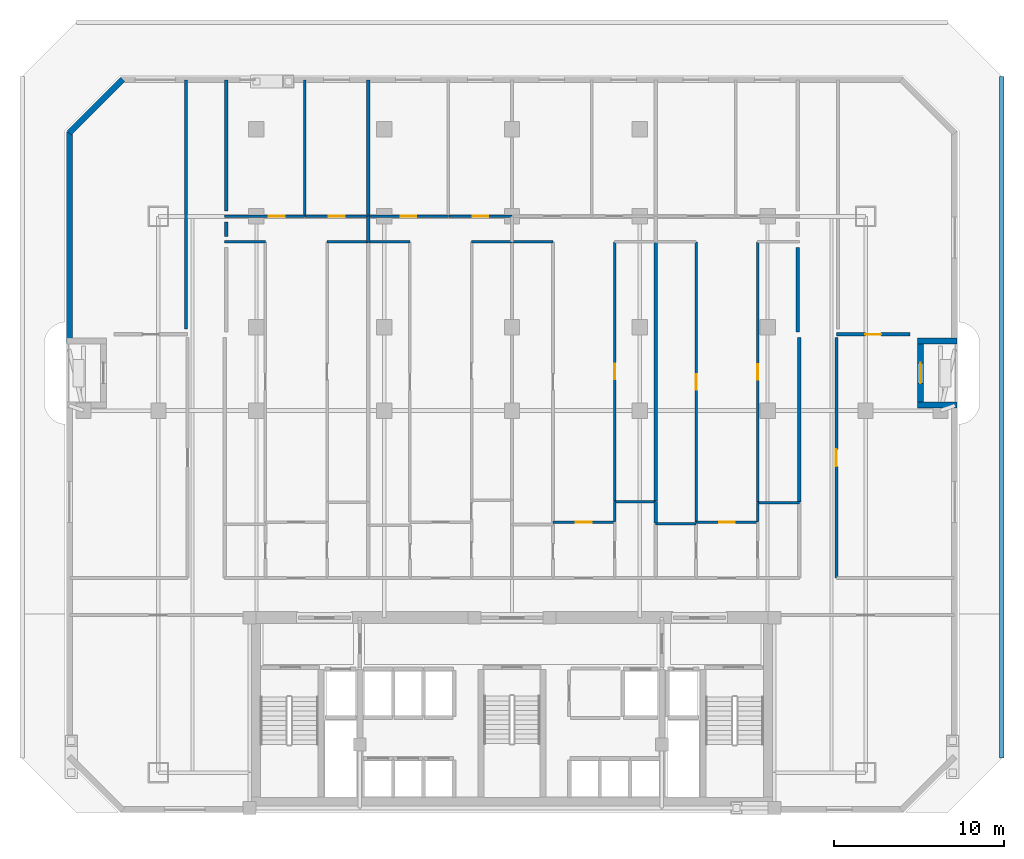
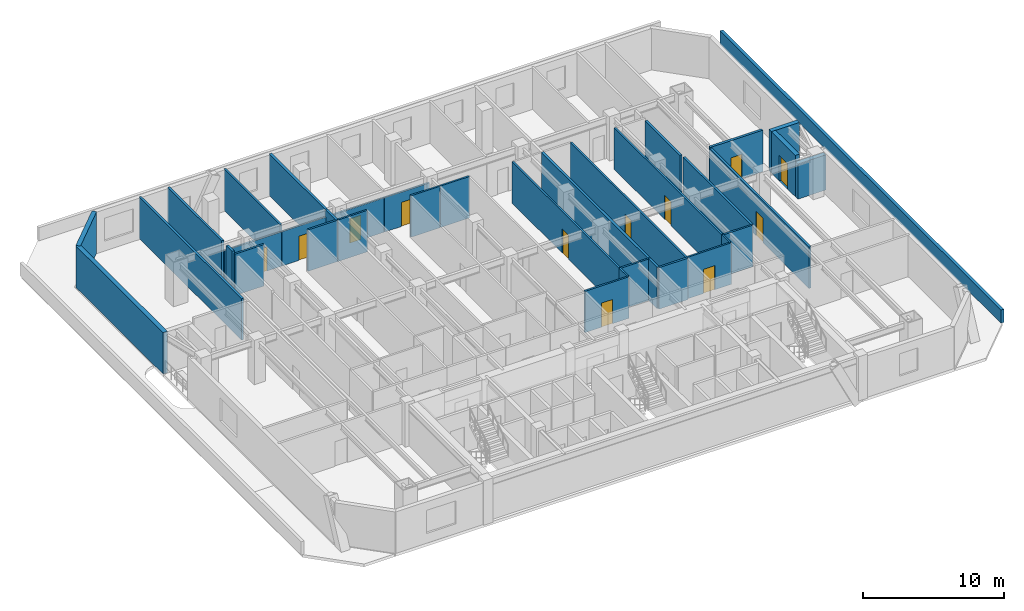
# One storey, part 6 of 10: 37 walls, 12 doors, 12 openings.
"""IFC4 building model written with IfcOpenShell, lengths in metres."""

from ifc_helpers import new_model, si_unit, direction, frame, frame_2d, origin, place, context, subcontext, project, spatial, rectangle, extrude, material, layer, layer_set, type_object, element, fill, save


model = new_model("IFC4")

# Units and contexts
model_context = context("Model", 3, precision=1e-05, world=origin(), true_north=direction((0.0, 1.0)))
body_context = subcontext(model_context, "Body", "Model", "MODEL_VIEW")
ifc_project = project(units=[si_unit("LENGTHUNIT", "METRE"), si_unit("AREAUNIT", "SQUARE_METRE"), si_unit("VOLUMEUNIT", "CUBIC_METRE"), si_unit("PLANEANGLEUNIT", "RADIAN"), si_unit("MASSUNIT", "GRAM", prefix="KILO")], contexts=[model_context])

# Site, building, storey
site_placement = place(None, origin())
site = spatial("IfcSite", under=ifc_project, at=site_placement, CompositionType="ELEMENT")
building_placement = place(site_placement, origin())
building = spatial("IfcBuilding", under=site, at=building_placement, Name="Ventersveld Concourse Tower", CompositionType="ELEMENT")
storey_placement = place(building_placement, frame((0.0, 0.0, 92.60009765625)))
storey = spatial("IfcBuildingStorey", under=building, at=storey_placement, Name="L22", CompositionType="ELEMENT", Elevation=92.60009765625)

# Wall, opening, door
ifc_material_1 = material(Name="Fire-rated autoclaved aerated masonry blockwork", Category="masonry")
ifc_layer_1 = layer(ifc_material_1, 0.179931640625)
ifc_layer_set_1 = layer_set([ifc_layer_1], Name="Fire-rated autoclaved aerated masonry blockwork")
wall_type_1 = type_object("IfcWallType", Name="WL-CORR-180", PredefinedType="PARTITIONING", material=ifc_layer_set_1)
wall_1_placement = place(storey_placement, frame((47.7900390625, 13.764892578125, 0.0), z_axis=(0.0, 0.0, 1.0), x_axis=(0.0, 1.0, 0.0)))
wall_1 = element("IfcWall", 1, at=wall_1_placement, inside=storey, type_object=wall_type_1, Name="L22 Interior Partition SP-L22-COR-SP-L22-NELNG1", PredefinedType="PARTITIONING", context=body_context, shape_type="SweptSolid", body=[
    extrude(rectangle(XDim=14.130126953125, YDim=0.179931640625, at=frame_2d((7.06494140625, 0.0))), origin(), (0.0, 0.0, 1.0), 3.599853515625),
])
opening_1_placement = place(wall_1_placement, frame((6.56494140625, 0.0, 0.0)))
opening_1 = element("IfcOpeningElement", 2, at=opening_1_placement, cuts=wall_1, Name="Opening FD3", PredefinedType="OPENING", context=body_context, shape_type="SweptSolid", body=[
    extrude(rectangle(XDim=1.0, YDim=2.14990234375, at=frame_2d((0.5, 1.074951171875))), frame((0.0, 0.10009765625, 0.0), z_axis=(0.0, -1.0, 0.0), x_axis=(1.0, 0.0, 0.0)), (0.0, 0.0, 1.0), 0.199951171875),
])
ifc_material_2 = material(Name="Solid-core hardwood veneer timber", Category="wood")
door_type_1 = type_object("IfcDoorType", Name="DR-FLAT-100", OperationType="NOTDEFINED", PredefinedType="DOOR", material=ifc_material_2)
door_1_placement = place(opening_1_placement, origin())
door_1 = element("IfcDoor", 3, at=door_1_placement, inside=storey, type_object=door_type_1, Name="L22 Interior Door SP-L22-COR to SP-L22-NELNG1 (D-L22-1071)", OperationType="SINGLE_SWING_LEFT", OverallHeight=2.14990234375, OverallWidth=1.0, PredefinedType="DOOR", context=body_context, shape_type="SweptSolid", body=[
    extrude(rectangle(XDim=1.0, YDim=2.14990234375, at=frame_2d((0.5, 1.074951171875))), frame((0.0, 0.02490234375, 0.0), z_axis=(0.0, -1.0, 0.0), x_axis=(1.0, 0.0, 0.0)), (0.0, 0.0, 1.0), 0.050048828125),
])
fill(opening_1, door_1)

# Walls
wall_2_placement = place(storey_placement, frame((45.610107421875, 18.2294921875, 0.0), z_axis=(0.0, 0.0, 1.0), x_axis=(0.0, 1.0, 0.0)))
element("IfcWall", 4, at=wall_2_placement, inside=storey, type_object=wall_type_1, Name="L22 Interior Partition SP-L22-COR-SP-L22-22N4-DENR", PredefinedType="PARTITIONING", context=body_context, shape_type="SweptSolid", body=[
    extrude(rectangle(XDim=9.66552734375, YDim=0.179931640625, at=frame_2d((4.832763671875, 0.0))), origin(), (0.0, 0.0, 1.0), 3.599853515625),
])
wall_3_placement = place(storey_placement, frame((9.6201171875, 42.989990234375, 0.0), z_axis=(0.0, 0.0, 1.0), x_axis=(0.0, -1.0, 0.0)))
element("IfcWall", 5, at=wall_3_placement, inside=storey, type_object=wall_type_1, Name="L22 Room Enclosure Wall SP-L22-NWLNG2", PredefinedType="PARTITIONING", context=body_context, shape_type="SweptSolid", body=[
    extrude(rectangle(XDim=14.594970703125, YDim=0.179931640625, at=frame_2d((7.29736328125, 0.0))), origin(), (0.0, 0.0, 1.0), 3.599853515625),
])
wall_4_placement = place(storey_placement, frame((11.97998046875, 33.824951171875, 0.0), z_axis=(0.0, 0.0, 1.0), x_axis=(0.0, 1.0, 0.0)))
element("IfcWall", 6, at=wall_4_placement, inside=storey, type_object=wall_type_1, Name="L22 Room Enclosure Wall SP-L22-22N1-LIV", PredefinedType="PARTITIONING", context=body_context, shape_type="SweptSolid", body=[
    extrude(rectangle(XDim=0.85009765625, YDim=0.179931640625, at=frame_2d((0.425048828125, 0.0))), origin(), (0.0, 0.0, 1.0), 3.599853515625),
])
wall_5_placement = place(storey_placement, frame((11.97998046875, 35.324951171875, 0.0), z_axis=(0.0, 0.0, 1.0), x_axis=(0.0, 1.0, 0.0)))
element("IfcWall", 7, at=wall_5_placement, inside=storey, type_object=wall_type_1, Name="L22 Room Enclosure Wall SP-L22-22N1-BR1", PredefinedType="PARTITIONING", context=body_context, shape_type="SweptSolid", body=[
    extrude(rectangle(XDim=7.6650390625, YDim=0.179931640625, at=frame_2d((3.83251953125, 0.0))), origin(), (0.0, 0.0, 1.0), 3.599853515625),
])
wall_6_placement = place(storey_placement, frame((45.52001953125, 33.175048828125, 0.0), z_axis=(0.0, 0.0, 1.0), x_axis=(0.0, -1.0, 0.0)))
element("IfcWall", 8, at=wall_6_placement, inside=storey, type_object=wall_type_1, Name="L22 Room Enclosure Wall SP-L22-22N4-DENR", PredefinedType="PARTITIONING", context=body_context, shape_type="SweptSolid", body=[
    extrude(rectangle(XDim=4.965087890625, YDim=0.179931640625, at=frame_2d((2.482421875, 0.0))), origin(), (0.0, 0.0, 1.0), 3.599853515625),
])

# Wall, opening, door
ifc_layer_2 = layer(ifc_material_1, 0.199951171875)
ifc_layer_set_2 = layer_set([ifc_layer_2], Name="Fire-rated autoclaved aerated masonry blockwork")
wall_type_2 = type_object("IfcWallType", Name="WL-DEMISE-200", PredefinedType="PARTITIONING", material=ifc_layer_set_2)
wall_7_placement = place(storey_placement, frame((47.784912109375, 28.070068359375, 0.0), z_axis=(0.0, 0.0, 1.0), x_axis=(1.0, 0.0, 0.0)))
wall_7 = element("IfcWall", 9, at=wall_7_placement, inside=storey, type_object=wall_type_2, Name="L22 Interior Partition SP-L22-NELNG1-SP-L22-NELNG2", PredefinedType="PARTITIONING", context=body_context, shape_type="SweptSolid", body=[
    extrude(rectangle(XDim=4.330078125, YDim=0.199951171875, at=frame_2d((2.1650390625, 0.0))), origin(), (0.0, 0.0, 1.0), 3.599853515625),
])
opening_2_placement = place(wall_7_placement, frame((1.705078125, 0.0, 0.0)))
opening_2 = element("IfcOpeningElement", 10, at=opening_2_placement, cuts=wall_7, Name="Opening ID1", PredefinedType="OPENING", context=body_context, shape_type="SweptSolid", body=[
    extrude(rectangle(XDim=0.919921875, YDim=2.10009765625, at=frame_2d((0.4599609375, 1.050048828125))), frame((0.0, 0.10986328125, 0.0), z_axis=(0.0, -1.0, 0.0), x_axis=(1.0, 0.0, 0.0)), (0.0, 0.0, 1.0), 0.219970703125),
])
door_type_2 = type_object("IfcDoorType", Name="DR-ROOM-092", OperationType="NOTDEFINED", PredefinedType="DOOR", material=ifc_material_2)
door_2_placement = place(opening_2_placement, origin())
door_2 = element("IfcDoor", 11, at=door_2_placement, inside=storey, type_object=door_type_2, Name="L22 Interior Door SP-L22-NELNG1 to SP-L22-NELNG2 (D-L22-1077)", OperationType="SINGLE_SWING_LEFT", OverallHeight=2.10009765625, OverallWidth=0.919921875, PredefinedType="DOOR", context=body_context, shape_type="SweptSolid", body=[
    extrude(rectangle(XDim=0.919921875, YDim=2.10009765625, at=frame_2d((0.4599609375, 1.050048828125))), frame((0.0, 0.02490234375, 0.0), z_axis=(0.0, -1.0, 0.0), x_axis=(1.0, 0.0, 0.0)), (0.0, 0.0, 1.0), 0.050048828125),
])
fill(opening_2, door_2)

# Walls
wall_8_placement = place(storey_placement, frame((20.320068359375, 33.4951171875, 0.0), z_axis=(0.0, 0.0, 1.0), x_axis=(0.0, 1.0, 0.0)))
element("IfcWall", 12, at=wall_8_placement, inside=storey, type_object=wall_type_2, Name="L22 Interior Partition SP-L22-22N1-LIV-SP-L22-22N2-LIV", PredefinedType="PARTITIONING", context=body_context, shape_type="SweptSolid", body=[
    extrude(rectangle(XDim=1.509765625, YDim=0.199951171875, at=frame_2d((0.7548828125, 0.0))), origin(), (0.0, 0.0, 1.0), 3.599853515625),
])
wall_9_placement = place(storey_placement, frame((20.320068359375, 35.034912109375, 0.0), z_axis=(0.0, 0.0, 1.0), x_axis=(0.0, 1.0, 0.0)))
element("IfcWall", 13, at=wall_9_placement, inside=storey, type_object=wall_type_2, Name="L22 Interior Partition SP-L22-22N1-BR2-SP-L22-22N2-BR1", PredefinedType="PARTITIONING", context=body_context, shape_type="SweptSolid", body=[
    extrude(rectangle(XDim=7.955078125, YDim=0.199951171875, at=frame_2d((3.9775390625, 0.0))), origin(), (0.0, 0.0, 1.0), 3.599853515625),
])
wall_10_placement = place(storey_placement, frame((37.179931640625, 16.994384765625, 0.0), z_axis=(0.0, 0.0, 1.0), x_axis=(0.0, 1.0, 0.0)))
element("IfcWall", 14, at=wall_10_placement, inside=storey, type_object=wall_type_2, Name="L22 Interior Partition SP-L22-22N3-KIT-SP-L22-22N4-DENL", PredefinedType="PARTITIONING", context=body_context, shape_type="SweptSolid", body=[
    extrude(rectangle(XDim=1.2705078125, YDim=0.199951171875, at=frame_2d((0.63525390625, 0.0))), origin(), (0.0, 0.0, 1.0), 3.599853515625),
])
wall_11_placement = place(storey_placement, frame((37.179931640625, 18.294921875, 0.0), z_axis=(0.0, 0.0, 1.0), x_axis=(0.0, 1.0, 0.0)))
element("IfcWall", 15, at=wall_11_placement, inside=storey, type_object=wall_type_2, Name="L22 Interior Partition SP-L22-22N3-DENR-SP-L22-22N4-DENL", PredefinedType="PARTITIONING", context=body_context, shape_type="SweptSolid", body=[
    extrude(rectangle(XDim=15.170166015625, YDim=0.199951171875, at=frame_2d((7.5849609375, 0.0))), origin(), (0.0, 0.0, 1.0), 3.599853515625),
])
ifc_material_3 = material(Name="Autoclaved aerated masonry blockwork", Category="masonry")
ifc_layer_3 = layer(ifc_material_3, 0.14990234375)
ifc_layer_set_3 = layer_set([ifc_layer_3], Name="Autoclaved aerated masonry blockwork")
wall_type_3 = type_object("IfcWallType", Name="WL-INT-150", PredefinedType="PARTITIONING", material=ifc_layer_set_3)
wall_12_placement = place(storey_placement, frame((11.885009765625, 33.5, 0.0), z_axis=(0.0, 0.0, 1.0), x_axis=(1.0, 0.0, 0.0)))
element("IfcWall", 16, at=wall_12_placement, inside=storey, type_object=wall_type_3, Name="L22 Interior Partition SP-L22-22N1-LIV-SP-L22-22N1-OFFL0", PredefinedType="PARTITIONING", context=body_context, shape_type="SweptSolid", body=[
    extrude(rectangle(XDim=2.400390625, YDim=0.14990234375, at=frame_2d((1.2001953125, 0.0))), origin(), (0.0, 0.0, 1.0), 3.599853515625),
])
wall_13_placement = place(storey_placement, frame((17.890380859375, 33.5, 0.0), z_axis=(0.0, 0.0, 1.0), x_axis=(1.0, 0.0, 0.0)))
element("IfcWall", 17, at=wall_13_placement, inside=storey, type_object=wall_type_3, Name="L22 Interior Partition SP-L22-22N1-LIV-SP-L22-22N1-DENR", PredefinedType="PARTITIONING", context=body_context, shape_type="SweptSolid", body=[
    extrude(rectangle(XDim=2.4345703125, YDim=0.14990234375, at=frame_2d((1.21728515625, 0.0))), origin(), (0.0, 0.0, 1.0), 3.599853515625),
])

# Wall, opening, door
wall_14_placement = place(storey_placement, frame((11.885009765625, 35.0, 0.0), z_axis=(0.0, 0.0, 1.0), x_axis=(1.0, 0.0, 0.0)))
wall_14 = element("IfcWall", 18, at=wall_14_placement, inside=storey, type_object=wall_type_3, Name="L22 Interior Partition SP-L22-22N1-LIV-SP-L22-22N1-BR1", PredefinedType="PARTITIONING", context=body_context, shape_type="SweptSolid", body=[
    extrude(rectangle(XDim=4.69970703125, YDim=0.14990234375, at=frame_2d((2.349853515625, 0.0))), origin(), (0.0, 0.0, 1.0), 2.982666015625),
])
opening_3_placement = place(wall_14_placement, frame((2.5947265625, 0.0, 0.0)))
opening_3 = element("IfcOpeningElement", 19, at=opening_3_placement, cuts=wall_14, Name="Opening ID1", PredefinedType="OPENING", context=body_context, shape_type="SweptSolid", body=[
    extrude(rectangle(XDim=0.919921875, YDim=2.10009765625, at=frame_2d((0.4599609375, 1.050048828125))), frame((0.0, 0.0849609375, 0.0), z_axis=(0.0, -1.0, 0.0), x_axis=(1.0, 0.0, 0.0)), (0.0, 0.0, 1.0), 0.169921875),
])
door_3_placement = place(opening_3_placement, origin())
door_3 = element("IfcDoor", 20, at=door_3_placement, inside=storey, type_object=door_type_2, Name="L22 Interior Door SP-L22-22N1-LIV to SP-L22-22N1-BR1 (D-L22-1083)", OperationType="SINGLE_SWING_LEFT", OverallHeight=2.10009765625, OverallWidth=0.919921875, PredefinedType="DOOR", context=body_context, shape_type="SweptSolid", body=[
    extrude(rectangle(XDim=0.919921875, YDim=2.10009765625, at=frame_2d((0.4599609375, 1.050048828125))), frame((0.0, 0.02490234375, 0.0), z_axis=(0.0, -1.0, 0.0), x_axis=(1.0, 0.0, 0.0)), (0.0, 0.0, 1.0), 0.050048828125),
])
fill(opening_3, door_3)

wall_15_placement = place(storey_placement, frame((16.61474609375, 35.0, 0.0), z_axis=(0.0, 0.0, 1.0), x_axis=(1.0, 0.0, 0.0)))
wall_15 = element("IfcWall", 21, at=wall_15_placement, inside=storey, type_object=wall_type_3, Name="L22 Interior Partition SP-L22-22N1-LIV-SP-L22-22N1-BR2", PredefinedType="PARTITIONING", context=body_context, shape_type="SweptSolid", body=[
    extrude(rectangle(XDim=3.710205078125, YDim=0.14990234375, at=frame_2d((1.85498046875, 0.0))), origin(), (0.0, 0.0, 1.0), 2.982666015625),
])
opening_4_placement = place(wall_15_placement, frame((1.39501953125, 0.0, 0.0)))
opening_4 = element("IfcOpeningElement", 22, at=opening_4_placement, cuts=wall_15, Name="Opening ID1", PredefinedType="OPENING", context=body_context, shape_type="SweptSolid", body=[
    extrude(rectangle(XDim=0.919921875, YDim=2.10009765625, at=frame_2d((0.4599609375, 1.050048828125))), frame((0.0, 0.0849609375, 0.0), z_axis=(0.0, -1.0, 0.0), x_axis=(1.0, 0.0, 0.0)), (0.0, 0.0, 1.0), 0.169921875),
])
door_4_placement = place(opening_4_placement, origin())
door_4 = element("IfcDoor", 23, at=door_4_placement, inside=storey, type_object=door_type_2, Name="L22 Interior Door SP-L22-22N1-LIV to SP-L22-22N1-BR2 (D-L22-1084)", OperationType="SINGLE_SWING_RIGHT", OverallHeight=2.10009765625, OverallWidth=0.919921875, PredefinedType="DOOR", context=body_context, shape_type="SweptSolid", body=[
    extrude(rectangle(XDim=0.919921875, YDim=2.10009765625, at=frame_2d((0.4599609375, 1.050048828125))), frame((0.0, 0.02490234375, 0.0), z_axis=(0.0, -1.0, 0.0), x_axis=(1.0, 0.0, 0.0)), (0.0, 0.0, 1.0), 0.050048828125),
])
fill(opening_4, door_4)

# Walls
wall_16_placement = place(storey_placement, frame((16.57958984375, 34.9951171875, 0.0), z_axis=(0.0, 0.0, 1.0), x_axis=(0.0, 1.0, 0.0)))
element("IfcWall", 24, at=wall_16_placement, inside=storey, type_object=wall_type_3, Name="L22 Interior Partition SP-L22-22N1-BR1-SP-L22-22N1-BR2", PredefinedType="PARTITIONING", context=body_context, shape_type="SweptSolid", body=[
    extrude(rectangle(XDim=7.994873046875, YDim=0.14990234375, at=frame_2d((3.99755859375, 0.0))), origin(), (0.0, 0.0, 1.0), 3.599853515625),
])
wall_17_placement = place(storey_placement, frame((20.35498046875, 33.5, 0.0), z_axis=(0.0, 0.0, 1.0), x_axis=(1.0, 0.0, 0.0)))
element("IfcWall", 25, at=wall_17_placement, inside=storey, type_object=wall_type_3, Name="L22 Interior Partition SP-L22-22N2-LIV-SP-L22-22N2-MEDL0", PredefinedType="PARTITIONING", context=body_context, shape_type="SweptSolid", body=[
    extrude(rectangle(XDim=2.411865234375, YDim=0.14990234375, at=frame_2d((1.2060546875, 0.0))), origin(), (0.0, 0.0, 1.0), 3.599853515625),
])
wall_18_placement = place(storey_placement, frame((26.371826171875, 33.5, 0.0), z_axis=(0.0, 0.0, 1.0), x_axis=(1.0, 0.0, 0.0)))
element("IfcWall", 26, at=wall_18_placement, inside=storey, type_object=wall_type_3, Name="L22 Interior Partition SP-L22-22N2-LIV-SP-L22-22N2-DENR", PredefinedType="PARTITIONING", context=body_context, shape_type="SweptSolid", body=[
    extrude(rectangle(XDim=2.383056640625, YDim=0.14990234375, at=frame_2d((1.19140625, 0.0))), origin(), (0.0, 0.0, 1.0), 3.599853515625),
])

# Wall, opening, door
wall_19_placement = place(storey_placement, frame((20.35498046875, 35.0, 0.0), z_axis=(0.0, 0.0, 1.0), x_axis=(1.0, 0.0, 0.0)))
wall_19 = element("IfcWall", 27, at=wall_19_placement, inside=storey, type_object=wall_type_3, Name="L22 Interior Partition SP-L22-22N2-LIV-SP-L22-22N2-BR1", PredefinedType="PARTITIONING", context=body_context, shape_type="SweptSolid", body=[
    extrude(rectangle(XDim=4.65966796875, YDim=0.14990234375, at=frame_2d((2.329833984375, 0.0))), origin(), (0.0, 0.0, 1.0), 2.982666015625),
])
opening_5_placement = place(wall_19_placement, frame((1.869873046875, 0.0, 0.0)))
opening_5 = element("IfcOpeningElement", 28, at=opening_5_placement, cuts=wall_19, Name="Opening ID1", PredefinedType="OPENING", context=body_context, shape_type="SweptSolid", body=[
    extrude(rectangle(XDim=0.919921875, YDim=2.10009765625, at=frame_2d((0.4599609375, 1.050048828125))), frame((0.0, 0.0849609375, 0.0), z_axis=(0.0, -1.0, 0.0), x_axis=(1.0, 0.0, 0.0)), (0.0, 0.0, 1.0), 0.169921875),
])
door_5_placement = place(opening_5_placement, origin())
door_5 = element("IfcDoor", 29, at=door_5_placement, inside=storey, type_object=door_type_2, Name="L22 Interior Door SP-L22-22N2-LIV to SP-L22-22N2-BR1 (D-L22-1091)", OperationType="SINGLE_SWING_LEFT", OverallHeight=2.10009765625, OverallWidth=0.919921875, PredefinedType="DOOR", context=body_context, shape_type="SweptSolid", body=[
    extrude(rectangle(XDim=0.919921875, YDim=2.10009765625, at=frame_2d((0.4599609375, 1.050048828125))), frame((0.0, 0.02490234375, 0.0), z_axis=(0.0, -1.0, 0.0), x_axis=(1.0, 0.0, 0.0)), (0.0, 0.0, 1.0), 0.050048828125),
])
fill(opening_5, door_5)

wall_20_placement = place(storey_placement, frame((25.044677734375, 35.0, 0.0), z_axis=(0.0, 0.0, 1.0), x_axis=(1.0, 0.0, 0.0)))
wall_20 = element("IfcWall", 30, at=wall_20_placement, inside=storey, type_object=wall_type_3, Name="L22 Interior Partition SP-L22-22N2-LIV-SP-L22-22N2-BR2", PredefinedType="PARTITIONING", context=body_context, shape_type="SweptSolid", body=[
    extrude(rectangle(XDim=3.710205078125, YDim=0.14990234375, at=frame_2d((1.85498046875, 0.0))), origin(), (0.0, 0.0, 1.0), 2.982666015625),
])
opening_6_placement = place(wall_20_placement, frame((1.39501953125, 0.0, 0.0)))
opening_6 = element("IfcOpeningElement", 31, at=opening_6_placement, cuts=wall_20, Name="Opening ID1", PredefinedType="OPENING", context=body_context, shape_type="SweptSolid", body=[
    extrude(rectangle(XDim=0.919921875, YDim=2.10009765625, at=frame_2d((0.4599609375, 1.050048828125))), frame((0.0, 0.0849609375, 0.0), z_axis=(0.0, -1.0, 0.0), x_axis=(1.0, 0.0, 0.0)), (0.0, 0.0, 1.0), 0.169921875),
])
door_6_placement = place(opening_6_placement, origin())
door_6 = element("IfcDoor", 32, at=door_6_placement, inside=storey, type_object=door_type_2, Name="L22 Interior Door SP-L22-22N2-LIV to SP-L22-22N2-BR2 (D-L22-1092)", OperationType="SINGLE_SWING_RIGHT", OverallHeight=2.10009765625, OverallWidth=0.919921875, PredefinedType="DOOR", context=body_context, shape_type="SweptSolid", body=[
    extrude(rectangle(XDim=0.919921875, YDim=2.10009765625, at=frame_2d((0.4599609375, 1.050048828125))), frame((0.0, 0.02490234375, 0.0), z_axis=(0.0, -1.0, 0.0), x_axis=(1.0, 0.0, 0.0)), (0.0, 0.0, 1.0), 0.050048828125),
])
fill(opening_6, door_6)

wall_21_placement = place(storey_placement, frame((31.152587890625, 17.05419921875, 0.0), z_axis=(0.0, 0.0, 1.0), x_axis=(1.0, 0.0, 0.0)))
wall_21 = element("IfcWall", 33, at=wall_21_placement, inside=storey, type_object=wall_type_3, Name="L22 Interior Partition SP-L22-22N3-FOY-SP-L22-22N3-LIV", PredefinedType="PARTITIONING", context=body_context, shape_type="SweptSolid", body=[
    extrude(rectangle(XDim=3.625, YDim=0.14990234375, at=frame_2d((1.8125, 0.0))), origin(), (0.0, 0.0, 1.0), 3.599853515625),
])
opening_7_placement = place(wall_21_placement, frame((1.3525390625, 0.0, 0.0)))
opening_7 = element("IfcOpeningElement", 34, at=opening_7_placement, cuts=wall_21, Name="Opening ID1", PredefinedType="OPENING", context=body_context, shape_type="SweptSolid", body=[
    extrude(rectangle(XDim=0.919921875, YDim=2.10009765625, at=frame_2d((0.4599609375, 1.050048828125))), frame((0.0, 0.0849609375, 0.0), z_axis=(0.0, -1.0, 0.0), x_axis=(1.0, 0.0, 0.0)), (0.0, 0.0, 1.0), 0.169921875),
])
door_7_placement = place(opening_7_placement, origin())
door_7 = element("IfcDoor", 35, at=door_7_placement, inside=storey, type_object=door_type_2, Name="L22 Interior Door SP-L22-22N3-FOY to SP-L22-22N3-LIV (D-L22-1093)", OperationType="SINGLE_SWING_LEFT", OverallHeight=2.10009765625, OverallWidth=0.919921875, PredefinedType="DOOR", context=body_context, shape_type="SweptSolid", body=[
    extrude(rectangle(XDim=0.919921875, YDim=2.10009765625, at=frame_2d((0.4599609375, 1.050048828125))), frame((0.0, 0.02490234375, 0.0), z_axis=(0.0, -1.0, 0.0), x_axis=(1.0, 0.0, 0.0)), (0.0, 0.0, 1.0), 0.050048828125),
])
fill(opening_7, door_7)

# Walls
wall_22_placement = place(storey_placement, frame((28.784912109375, 33.5, 0.0), z_axis=(0.0, 0.0, 1.0), x_axis=(1.0, 0.0, 0.0)))
element("IfcWall", 36, at=wall_22_placement, inside=storey, type_object=wall_type_3, Name="L22 Interior Partition SP-L22-22N3-LIV-SP-L22-22N3-DENL", PredefinedType="PARTITIONING", context=body_context, shape_type="SweptSolid", body=[
    extrude(rectangle(XDim=2.377685546875, YDim=0.14990234375, at=frame_2d((1.18896484375, 0.0))), origin(), (0.0, 0.0, 1.0), 3.599853515625),
])
wall_23_placement = place(storey_placement, frame((34.7724609375, 17.089111328125, 0.0), z_axis=(0.0, 0.0, 1.0), x_axis=(0.0, 1.0, 0.0)))
element("IfcWall", 37, at=wall_23_placement, inside=storey, type_object=wall_type_3, Name="L22 Interior Partition SP-L22-22N3-LIV-SP-L22-22N3-KIT", PredefinedType="PARTITIONING", context=body_context, shape_type="SweptSolid", body=[
    extrude(rectangle(XDim=1.17578125, YDim=0.14990234375, at=frame_2d((0.587890625, 0.0))), origin(), (0.0, 0.0, 1.0), 3.599853515625),
])

# Wall, opening, door
wall_24_placement = place(storey_placement, frame((34.7724609375, 18.294921875, 0.0), z_axis=(0.0, 0.0, 1.0), x_axis=(0.0, 1.0, 0.0)))
wall_24 = element("IfcWall", 38, at=wall_24_placement, inside=storey, type_object=wall_type_3, Name="L22 Interior Partition SP-L22-22N3-LIV-SP-L22-22N3-DENR", PredefinedType="PARTITIONING", context=body_context, shape_type="SweptSolid", body=[
    extrude(rectangle(XDim=15.2099609375, YDim=0.14990234375, at=frame_2d((7.60498046875, 0.0))), origin(), (0.0, 0.0, 1.0), 3.599853515625),
])
opening_8_placement = place(wall_24_placement, frame((7.14501953125, 0.0, 0.0)))
opening_8 = element("IfcOpeningElement", 39, at=opening_8_placement, cuts=wall_24, Name="Opening ID1", PredefinedType="OPENING", context=body_context, shape_type="SweptSolid", body=[
    extrude(rectangle(XDim=0.919921875, YDim=2.10009765625, at=frame_2d((0.4599609375, 1.050048828125))), frame((0.0, 0.0849609375, 0.0), z_axis=(0.0, -1.0, 0.0), x_axis=(1.0, 0.0, 0.0)), (0.0, 0.0, 1.0), 0.169921875),
])
door_8_placement = place(opening_8_placement, origin())
door_8 = element("IfcDoor", 40, at=door_8_placement, inside=storey, type_object=door_type_2, Name="L22 Interior Door SP-L22-22N3-LIV to SP-L22-22N3-DENR (D-L22-1097)", OperationType="SINGLE_SWING_LEFT", OverallHeight=2.10009765625, OverallWidth=0.919921875, PredefinedType="DOOR", context=body_context, shape_type="SweptSolid", body=[
    extrude(rectangle(XDim=0.919921875, YDim=2.10009765625, at=frame_2d((0.4599609375, 1.050048828125))), frame((0.0, 0.02490234375, 0.0), z_axis=(0.0, -1.0, 0.0), x_axis=(1.0, 0.0, 0.0)), (0.0, 0.0, 1.0), 0.050048828125),
])
fill(opening_8, door_8)

# Wall
wall_25_placement = place(storey_placement, frame((34.767578125, 18.259765625, 0.0), z_axis=(0.0, 0.0, 1.0), x_axis=(1.0, 0.0, 0.0)))
element("IfcWall", 41, at=wall_25_placement, inside=storey, type_object=wall_type_3, Name="L22 Interior Partition SP-L22-22N3-KIT-SP-L22-22N3-DENR", PredefinedType="PARTITIONING", context=body_context, shape_type="SweptSolid", body=[
    extrude(rectangle(XDim=2.41748046875, YDim=0.14990234375, at=frame_2d((1.208740234375, 0.0))), origin(), (0.0, 0.0, 1.0), 3.599853515625),
])

# Wall, opening, door
wall_26_placement = place(storey_placement, frame((39.548095703125, 17.05419921875, 0.0), z_axis=(0.0, 0.0, 1.0), x_axis=(1.0, 0.0, 0.0)))
wall_26 = element("IfcWall", 42, at=wall_26_placement, inside=storey, type_object=wall_type_3, Name="L22 Interior Partition SP-L22-22N4-FOY-SP-L22-22N4-LIV", PredefinedType="PARTITIONING", context=body_context, shape_type="SweptSolid", body=[
    extrude(rectangle(XDim=3.625, YDim=0.14990234375, at=frame_2d((1.8125, 0.0))), origin(), (0.0, 0.0, 1.0), 3.599853515625),
])
opening_9_placement = place(wall_26_placement, frame((1.3525390625, 0.0, 0.0)))
opening_9 = element("IfcOpeningElement", 43, at=opening_9_placement, cuts=wall_26, Name="Opening ID1", PredefinedType="OPENING", context=body_context, shape_type="SweptSolid", body=[
    extrude(rectangle(XDim=0.919921875, YDim=2.10009765625, at=frame_2d((0.4599609375, 1.050048828125))), frame((0.0, 0.0849609375, 0.0), z_axis=(0.0, -1.0, 0.0), x_axis=(1.0, 0.0, 0.0)), (0.0, 0.0, 1.0), 0.169921875),
])
door_9_placement = place(opening_9_placement, origin())
door_9 = element("IfcDoor", 44, at=door_9_placement, inside=storey, type_object=door_type_2, Name="L22 Interior Door SP-L22-22N4-FOY to SP-L22-22N4-LIV (D-L22-1100)", OperationType="SINGLE_SWING_RIGHT", OverallHeight=2.10009765625, OverallWidth=0.919921875, PredefinedType="DOOR", context=body_context, shape_type="SweptSolid", body=[
    extrude(rectangle(XDim=0.919921875, YDim=2.10009765625, at=frame_2d((0.4599609375, 1.050048828125))), frame((0.0, 0.02490234375, 0.0), z_axis=(0.0, -1.0, 0.0), x_axis=(1.0, 0.0, 0.0)), (0.0, 0.0, 1.0), 0.050048828125),
])
fill(opening_9, door_9)

wall_27_placement = place(storey_placement, frame((39.55322265625, 17.049072265625, 0.0), z_axis=(0.0, 0.0, 1.0), x_axis=(0.0, 1.0, 0.0)))
wall_27 = element("IfcWall", 45, at=wall_27_placement, inside=storey, type_object=wall_type_3, Name="L22 Interior Partition SP-L22-22N4-LIV-SP-L22-22N4-DENL", PredefinedType="PARTITIONING", context=body_context, shape_type="SweptSolid", body=[
    extrude(rectangle(XDim=16.455810546875, YDim=0.14990234375, at=frame_2d((8.22802734375, 0.0))), origin(), (0.0, 0.0, 1.0), 3.599853515625),
])
opening_10_placement = place(wall_27_placement, frame((7.76806640625, 0.0, 0.0)))
opening_10 = element("IfcOpeningElement", 46, at=opening_10_placement, cuts=wall_27, Name="Opening ID1", PredefinedType="OPENING", context=body_context, shape_type="SweptSolid", body=[
    extrude(rectangle(XDim=0.919921875, YDim=2.10009765625, at=frame_2d((0.4599609375, 1.050048828125))), frame((0.0, 0.0849609375, 0.0), z_axis=(0.0, -1.0, 0.0), x_axis=(1.0, 0.0, 0.0)), (0.0, 0.0, 1.0), 0.169921875),
])
door_10_placement = place(opening_10_placement, origin())
door_10 = element("IfcDoor", 47, at=door_10_placement, inside=storey, type_object=door_type_2, Name="L22 Interior Door SP-L22-22N4-LIV to SP-L22-22N4-DENL (D-L22-1103)", OperationType="SINGLE_SWING_LEFT", OverallHeight=2.10009765625, OverallWidth=0.919921875, PredefinedType="DOOR", context=body_context, shape_type="SweptSolid", body=[
    extrude(rectangle(XDim=0.919921875, YDim=2.10009765625, at=frame_2d((0.4599609375, 1.050048828125))), frame((0.0, 0.02490234375, 0.0), z_axis=(0.0, -1.0, 0.0), x_axis=(1.0, 0.0, 0.0)), (0.0, 0.0, 1.0), 0.050048828125),
])
fill(opening_10, door_10)

# Wall
wall_28_placement = place(storey_placement, frame((43.168212890625, 17.089111328125, 0.0), z_axis=(0.0, 0.0, 1.0), x_axis=(0.0, 1.0, 0.0)))
element("IfcWall", 48, at=wall_28_placement, inside=storey, type_object=wall_type_3, Name="L22 Interior Partition SP-L22-22N4-LIV-SP-L22-22N4-KIT", PredefinedType="PARTITIONING", context=body_context, shape_type="SweptSolid", body=[
    extrude(rectangle(XDim=1.1103515625, YDim=0.14990234375, at=frame_2d((0.55517578125, 0.0))), origin(), (0.0, 0.0, 1.0), 3.599853515625),
])

# Wall, opening, door
wall_29_placement = place(storey_placement, frame((43.168212890625, 18.2294921875, 0.0), z_axis=(0.0, 0.0, 1.0), x_axis=(0.0, 1.0, 0.0)))
wall_29 = element("IfcWall", 49, at=wall_29_placement, inside=storey, type_object=wall_type_3, Name="L22 Interior Partition SP-L22-22N4-LIV-SP-L22-22N4-DENR", PredefinedType="PARTITIONING", context=body_context, shape_type="SweptSolid", body=[
    extrude(rectangle(XDim=15.275390625, YDim=0.14990234375, at=frame_2d((7.6376953125, 0.0))), origin(), (0.0, 0.0, 1.0), 3.599853515625),
])
opening_11_placement = place(wall_29_placement, frame((7.177734375, 0.0, 0.0)))
opening_11 = element("IfcOpeningElement", 50, at=opening_11_placement, cuts=wall_29, Name="Opening ID1", PredefinedType="OPENING", context=body_context, shape_type="SweptSolid", body=[
    extrude(rectangle(XDim=0.919921875, YDim=2.10009765625, at=frame_2d((0.4599609375, 1.050048828125))), frame((0.0, 0.0849609375, 0.0), z_axis=(0.0, -1.0, 0.0), x_axis=(1.0, 0.0, 0.0)), (0.0, 0.0, 1.0), 0.169921875),
])
door_11_placement = place(opening_11_placement, origin())
door_11 = element("IfcDoor", 51, at=door_11_placement, inside=storey, type_object=door_type_2, Name="L22 Interior Door SP-L22-22N4-LIV to SP-L22-22N4-DENR (D-L22-1104)", OperationType="SINGLE_SWING_RIGHT", OverallHeight=2.10009765625, OverallWidth=0.919921875, PredefinedType="DOOR", context=body_context, shape_type="SweptSolid", body=[
    extrude(rectangle(XDim=0.919921875, YDim=2.10009765625, at=frame_2d((0.4599609375, 1.050048828125))), frame((0.0, 0.02490234375, 0.0), z_axis=(0.0, -1.0, 0.0), x_axis=(1.0, 0.0, 0.0)), (0.0, 0.0, 1.0), 0.050048828125),
])
fill(opening_11, door_11)

# Walls
wall_30_placement = place(storey_placement, frame((43.1630859375, 18.1943359375, 0.0), z_axis=(0.0, 0.0, 1.0), x_axis=(1.0, 0.0, 0.0)))
element("IfcWall", 52, at=wall_30_placement, inside=storey, type_object=wall_type_3, Name="L22 Interior Partition SP-L22-22N4-KIT-SP-L22-22N4-DENR", PredefinedType="PARTITIONING", context=body_context, shape_type="SweptSolid", body=[
    extrude(rectangle(XDim=2.451904296875, YDim=0.14990234375, at=frame_2d((1.22607421875, 0.0))), origin(), (0.0, 0.0, 1.0), 3.599853515625),
])
ifc_material_4 = material(Name="Precast concrete C45/55", Category="concrete")
ifc_layer_4 = layer(ifc_material_4, 0.25)
ifc_layer_set_4 = layer_set([ifc_layer_4], Name="Precast concrete C45/55")
wall_type_4 = type_object("IfcWallType", Name="WL-PARA-250", PredefinedType="PARAPET", material=ifc_layer_set_4)
wall_31_placement = place(storey_placement, frame((57.5, 3.199951171875, 0.0), z_axis=(0.0, 0.0, 1.0), x_axis=(0.0, 1.0, 0.0)))
element("IfcWall", 53, at=wall_31_placement, inside=storey, type_object=wall_type_4, Name="L22 Setback Roof Parapet Wall 2", PredefinedType="PARAPET", context=body_context, shape_type="SweptSolid", body=[
    extrude(rectangle(XDim=40.0, YDim=0.25, at=frame_2d((20.0, 0.0))), origin(), (0.0, 0.0, 1.0), 1.14990234375),
])
ifc_layer_5 = layer(ifc_material_4, 0.35009765625)
ifc_layer_set_5 = layer_set([ifc_layer_5], Name="Precast concrete C45/55")
wall_type_5 = type_object("IfcWallType", Name="WL-PREC-350", PredefinedType="SOLIDWALL", material=ifc_layer_set_5)
wall_32_placement = place(storey_placement, frame((54.860107421875, 23.925048828125, 0.0), z_axis=(0.0, 0.0, 1.0), x_axis=(-1.0, 0.0, 0.0)))
element("IfcWall", 54, at=wall_32_placement, inside=storey, type_object=wall_type_5, Name="L22 Highveld Precast Facade Wall E04", PredefinedType="SOLIDWALL", context=body_context, shape_type="SweptSolid", body=[
    extrude(rectangle(XDim=2.31005859375, YDim=0.35009765625, at=frame_2d((1.155029296875, 0.0))), origin(), (0.0, 0.0, 1.0), 3.055419921875),
])

# Wall, opening, door
wall_33_placement = place(storey_placement, frame((52.72509765625, 24.10009765625, 0.0), z_axis=(0.0, 0.0, 1.0), x_axis=(0.0, 1.0, 0.0)))
wall_33 = element("IfcWall", 55, at=wall_33_placement, inside=storey, type_object=wall_type_5, Name="L22 Highveld Precast Facade Wall E05", PredefinedType="SOLIDWALL", context=body_context, shape_type="SweptSolid", body=[
    extrude(rectangle(XDim=3.39990234375, YDim=0.35009765625, at=frame_2d((1.699951171875, 0.0))), origin(), (0.0, 0.0, 1.0), 3.599853515625),
])
opening_12_placement = place(wall_33_placement, frame((1.10009765625, 0.0, 0.0)))
opening_12 = element("IfcOpeningElement", 56, at=opening_12_placement, cuts=wall_33, Name="Opening TD1", PredefinedType="OPENING", context=body_context, shape_type="SweptSolid", body=[
    extrude(rectangle(XDim=1.199951171875, YDim=2.199951171875, at=frame_2d((0.60009765625, 1.10009765625))), frame((0.0, 0.18505859375, 0.0), z_axis=(0.0, -1.0, 0.0), x_axis=(1.0, 0.0, 0.0)), (0.0, 0.0, 1.0), 0.3701171875),
])
ifc_material_5 = material(Name="Anodised aluminium EN AW-6063-T6", Category="aluminium")
door_type_3 = type_object("IfcDoorType", Name="DR-TERR-120", OperationType="NOTDEFINED", PredefinedType="DOOR", material=ifc_material_5)
door_12_placement = place(opening_12_placement, frame((1.199951171875, 0.0, 0.0), z_axis=(0.0, 0.0, 1.0), x_axis=(-1.0, 0.0, 0.0)))
door_12 = element("IfcDoor", 57, at=door_12_placement, inside=storey, type_object=door_type_3, Name="L22 Stepped Valley Terrace Door TD-L22-02", OperationType="SINGLE_SWING_RIGHT", OverallHeight=2.199951171875, OverallWidth=1.199951171875, PredefinedType="DOOR", context=body_context, shape_type="SweptSolid", body=[
    extrude(rectangle(XDim=1.199951171875, YDim=2.199951171875, at=frame_2d((0.60009765625, 1.10009765625))), frame((0.0, 0.02490234375, 0.0), z_axis=(0.0, -1.0, 0.0), x_axis=(1.0, 0.0, 0.0)), (0.0, 0.0, 1.0), 0.050048828125),
])
fill(opening_12, door_12)

# Walls
wall_34_placement = place(storey_placement, frame((52.550048828125, 27.675048828125, 0.0), z_axis=(0.0, 0.0, 1.0), x_axis=(1.0, 0.0, 0.0)))
element("IfcWall", 58, at=wall_34_placement, inside=storey, type_object=wall_type_5, Name="L22 Highveld Precast Facade Wall E06", PredefinedType="SOLIDWALL", context=body_context, shape_type="SweptSolid", body=[
    extrude(rectangle(XDim=2.31005859375, YDim=0.35009765625, at=frame_2d((1.155029296875, 0.0))), origin(), (0.0, 0.0, 1.0), 3.599853515625),
])
wall_35_placement = place(storey_placement, frame((5.8955078125, 43.048095703125, 0.0), z_axis=(0.0, 0.0, 1.0), x_axis=(-0.707106781187, -0.707106781187, 0.0)))
element("IfcWall", 59, at=wall_35_placement, inside=storey, type_object=wall_type_5, Name="L22 Highveld Precast Facade Wall E10", PredefinedType="SOLIDWALL", context=body_context, shape_type="SweptSolid", body=[
    extrude(rectangle(XDim=4.445556640625, YDim=0.35009765625, at=frame_2d((2.22265625, 0.0))), origin(), (0.0, 0.0, 1.0), 3.599853515625),
])
wall_36_placement = place(storey_placement, frame((2.77490234375, 39.9599609375, 0.0), z_axis=(0.0, 0.0, 1.0), x_axis=(0.0, -1.0, 0.0)))
element("IfcWall", 60, at=wall_36_placement, inside=storey, type_object=wall_type_5, Name="L22 Highveld Precast Facade Wall E11", PredefinedType="SOLIDWALL", context=body_context, shape_type="SweptSolid", body=[
    extrude(rectangle(XDim=12.419921875, YDim=0.35009765625, at=frame_2d((6.2099609375, 0.0))), origin(), (0.0, 0.0, 1.0), 3.599853515625),
])
ifc_layer_6 = layer(ifc_material_3, 0.1650390625)
ifc_layer_set_6 = layer_set([ifc_layer_6], Name="Autoclaved aerated masonry blockwork")
wall_type_6 = type_object("IfcWallType", Name="WL-WET-165", PredefinedType="PLUMBINGWALL", material=ifc_layer_set_6)
wall_37_placement = place(storey_placement, frame((37.175048828125, 16.959228515625, 0.0), z_axis=(0.0, 0.0, 1.0), x_axis=(1.0, 0.0, 0.0)))
element("IfcWall", 61, at=wall_37_placement, inside=storey, type_object=wall_type_6, Name="L22 Interior Partition SP-L22-22N4-BATH-SP-L22-22N4-DENL", PredefinedType="PLUMBINGWALL", context=body_context, shape_type="SweptSolid", body=[
    extrude(rectangle(XDim=2.383056640625, YDim=0.1650390625, at=frame_2d((1.19140625, 0.0))), origin(), (0.0, 0.0, 1.0), 3.599853515625),
])

save(model, "model.ifc")
